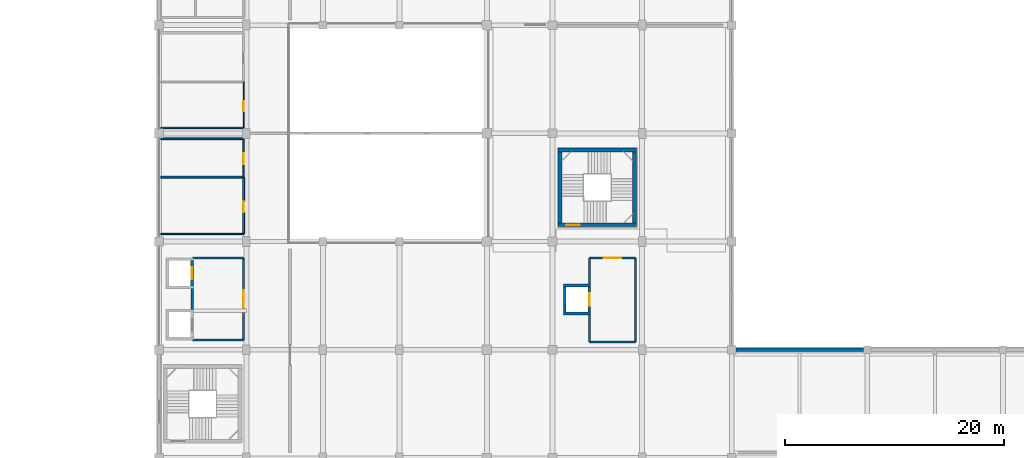
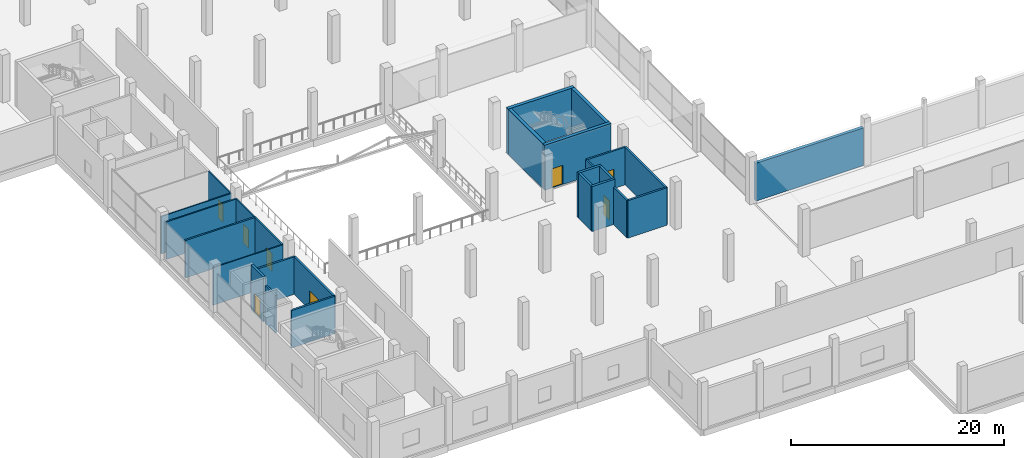
# One storey, part 45 of 74: 26 walls, 8 doors, 8 openings.
"""IFC4 building model written with IfcOpenShell, lengths in metres."""

from ifc_helpers import new_model, si_unit, direction, frame, frame_2d, origin, place, context, subcontext, project, spatial, rectangle, extrude, material, layer, layer_set, type_object, element, fill, save


model = new_model("IFC4")

# Units and contexts
model_context = context("Model", 3, precision=1e-05, world=origin(), true_north=direction((0.0, 1.0)))
body_context = subcontext(model_context, "Body", "Model", "MODEL_VIEW")
ifc_project = project(units=[si_unit("LENGTHUNIT", "METRE"), si_unit("AREAUNIT", "SQUARE_METRE"), si_unit("VOLUMEUNIT", "CUBIC_METRE"), si_unit("PLANEANGLEUNIT", "RADIAN"), si_unit("MASSUNIT", "GRAM", prefix="KILO")], contexts=[model_context])

# Site, building, storey
site_placement = place(None, origin())
site = spatial("IfcSite", under=ifc_project, at=site_placement, CompositionType="ELEMENT")
building_placement = place(site_placement, origin())
building = spatial("IfcBuilding", under=site, at=building_placement, Name="Sillaruma Civic Art Gallery", CompositionType="ELEMENT")
storey_placement = place(building_placement, frame((0.0, 0.0, 5.43994140625)))
storey = spatial("IfcBuildingStorey", under=building, at=storey_placement, Name="L01", CompositionType="ELEMENT", Elevation=5.43994140625)

# Wall, opening, door
ifc_material_1 = material(Name="Concrete H40 (40 MPa)", Category="concrete")
ifc_layer_1 = layer(ifc_material_1, 0.35009765625, Name="Concrete H40 (40 MPa)")
ifc_layer_set_1 = layer_set([ifc_layer_1], Name="Concrete H40 (40 MPa)")
wall_type_1 = type_object("IfcWallType", Name="WAL-CORE-350", PredefinedType="SHEAR", material=ifc_layer_set_1)
wall_1_placement = place(storey_placement, frame((98.510009765625, 51.034912109375, 0.0), z_axis=(0.0, 0.0, 1.0), x_axis=(1.0, 0.0, 0.0)))
wall_1 = element("IfcWall", 1, at=wall_1_placement, inside=storey, type_object=wall_type_1, Name="Stair Core Shear Wall W-CORE-350 (ST-04:L01:S)", PredefinedType="SHEAR", context=body_context, shape_type="SweptSolid", body=[
    extrude(rectangle(XDim=7.179931640625, YDim=0.35009765625, at=frame_2d((3.58984375, 0.0))), origin(), (0.0, 0.0, 1.0), 5.18017578125),
])
opening_1_placement = place(wall_1_placement, frame((0.77001953125, 0.0, 0.0)))
opening_1 = element("IfcOpeningElement", 2, at=opening_1_placement, cuts=wall_1, Name="Opening D-STAIR", PredefinedType="OPENING", context=body_context, shape_type="SweptSolid", body=[
    extrude(rectangle(XDim=1.199951171875, YDim=2.199951171875, at=frame_2d((0.60009765625, 1.10009765625))), frame((0.0, 0.18505859375, 0.0), z_axis=(0.0, -1.0, 0.0), x_axis=(1.0, 0.0, 0.0)), (0.0, 0.0, 1.0), 0.3701171875),
])
ifc_material_2 = material(Name="Galvanised Steel ASTM A653 Gr.50", Category="steel")
door_type_1 = type_object("IfcDoorType", Name="DOR-STAIR-120", OperationType="NOTDEFINED", PredefinedType="DOOR", material=ifc_material_2)
door_1_placement = place(opening_1_placement, origin())
door_1 = element("IfcDoor", 3, at=door_1_placement, inside=storey, type_object=door_type_1, Name="Protected Stair Fire Door (ST-04:L01)", OperationType="SINGLE_SWING_LEFT", OverallHeight=2.199951171875, OverallWidth=1.199951171875, PredefinedType="DOOR", context=body_context, shape_type="SweptSolid", body=[
    extrude(rectangle(XDim=1.199951171875, YDim=2.199951171875, at=frame_2d((0.60009765625, 1.10009765625))), frame((0.0, 0.02490234375, 0.0), z_axis=(0.0, -1.0, 0.0), x_axis=(1.0, 0.0, 0.0)), (0.0, 0.0, 1.0), 0.050048828125),
])
fill(opening_1, door_1)

# Walls
wall_2_placement = place(storey_placement, frame((98.510009765625, 57.864990234375, 0.0), z_axis=(0.0, 0.0, 1.0), x_axis=(1.0, 0.0, 0.0)))
element("IfcWall", 4, at=wall_2_placement, inside=storey, type_object=wall_type_1, Name="Stair Core Shear Wall W-CORE-350 (ST-04:L01:N)", PredefinedType="SHEAR", context=body_context, shape_type="SweptSolid", body=[
    extrude(rectangle(XDim=7.179931640625, YDim=0.35009765625, at=frame_2d((3.58984375, 0.0))), origin(), (0.0, 0.0, 1.0), 5.18017578125),
])
for number, where, z_axis, x_axis, name in (
    (5, (98.68505859375, 51.2099609375, 0.0), (0.0, 0.0, 1.0), (0.0, 1.0, 0.0), "Stair Core Shear Wall W-CORE-350 (ST-04:L01:W)"),
    (6, (105.514892578125, 51.2099609375, 0.0), (0.0, 0.0, 1.0), (0.0, 1.0, 0.0), "Stair Core Shear Wall W-CORE-350 (ST-04:L01:E)"),
):
    element("IfcWall", number, at=place(storey_placement, frame(where, z_axis=z_axis, x_axis=x_axis)), inside=storey, type_object=wall_type_1, Name=name, PredefinedType="SHEAR", context=body_context, shape_type="SweptSolid", body=[
        extrude(rectangle(XDim=6.47998046875, YDim=0.35009765625, at=frame_2d((3.239990234375, 0.0))), origin(), (0.0, 0.0, 1.0), 5.18017578125),
    ])
ifc_layer_2 = layer(ifc_material_1, 0.239990234375, Name="Boundary concrete", Category="concrete")
ifc_material_3 = material(Name="Mineral Wool Thermal Insulation", Category="insulation")
ifc_layer_3 = layer(ifc_material_3, 0.10009765625, Name="Acoustic-thermal liner", Category="insulation")
ifc_layer_set_2 = layer_set([ifc_layer_2, ifc_layer_3], Name="W-EXT-340")
wall_type_2 = type_object("IfcWallType", Name="WAL-EXT-340", PredefinedType="SOLIDWALL", material=ifc_layer_set_2)
wall_3_placement = place(storey_placement, frame((114.800048828125, 39.60009765625, 0.0), z_axis=(0.0, 0.0, 1.0), x_axis=(1.0, 0.0, 0.0)))
element("IfcWall", 7, at=wall_3_placement, inside=storey, type_object=wall_type_2, Name="Exterior Wall W-EXT-340 (EW-L01-EPN-1)", PredefinedType="SOLIDWALL", context=body_context, shape_type="SweptSolid", body=[
    extrude(rectangle(XDim=11.64990234375, YDim=0.340087890625, at=frame_2d((5.824951171875, 0.0))), origin(), (0.0, 0.0, 1.0), 4.330078125),
])
ifc_material_4 = material(Name="Concrete Masonry Unit Grade M15", Category="masonry")
ifc_layer_4 = layer(ifc_material_4, 0.199951171875, Name="Concrete Masonry Unit Grade M15")
ifc_layer_set_3 = layer_set([ifc_layer_4], Name="Concrete Masonry Unit Grade M15")
wall_type_3 = type_object("IfcWallType", Name="WAL-LOBBY-200", PredefinedType="SOLIDWALL", material=ifc_layer_set_3)
for number, where, z_axis, x_axis, name in (
    (8, (65.050048828125, 40.5, 0.0), (0.0, 0.0, 1.0), (1.0, 0.0, 0.0), "Interior Wall W-LOBBY-200 (L01-LLW)"),
    (9, (65.050048828125, 48.0, 0.0), (0.0, 0.0, 1.0), (1.0, 0.0, 0.0), "Interior Wall W-LOBBY-200 (L01-LLW)"),
):
    element("IfcWall", number, at=place(storey_placement, frame(where, z_axis=z_axis, x_axis=x_axis)), inside=storey, type_object=wall_type_3, Name=name, PredefinedType="SOLIDWALL", context=body_context, shape_type="SweptSolid", body=[
        extrude(rectangle(XDim=4.699951171875, YDim=0.199951171875, at=frame_2d((2.35009765625, 0.0))), origin(), (0.0, 0.0, 1.0), 4.300048828125),
    ])
wall_4_placement = place(storey_placement, frame((65.050048828125, 43.300048828125, 0.0), z_axis=(0.0, 0.0, 1.0), x_axis=(0.0, 1.0, 0.0)))
element("IfcWall", 10, at=wall_4_placement, inside=storey, type_object=wall_type_3, Name="Interior Wall W-LOBBY-200 (L01-LLW)", PredefinedType="SOLIDWALL", context=body_context, shape_type="SweptSolid", body=[
    extrude(rectangle(XDim=1.89990234375, YDim=0.199951171875, at=frame_2d((0.949951171875, 0.0))), origin(), (0.0, 0.0, 1.0), 4.300048828125),
])

# Wall, opening, door
wall_5_placement = place(storey_placement, frame((69.75, 40.5, 0.0), z_axis=(0.0, 0.0, 1.0), x_axis=(0.0, 1.0, 0.0)))
wall_5 = element("IfcWall", 11, at=wall_5_placement, inside=storey, type_object=wall_type_3, Name="Interior Wall W-LOBBY-200 (L01-LLW)", PredefinedType="SOLIDWALL", context=body_context, shape_type="SweptSolid", body=[
    extrude(rectangle(XDim=7.5, YDim=0.199951171875, at=frame_2d((3.75, 0.0))), origin(), (0.0, 0.0, 1.0), 4.300048828125),
])
opening_2_placement = place(wall_5_placement, frame((2.949951171875, 0.0, 0.0)))
opening_2 = element("IfcOpeningElement", 12, at=opening_2_placement, cuts=wall_5, Name="Opening D-LOBBY", PredefinedType="OPENING", context=body_context, shape_type="SweptSolid", body=[
    extrude(rectangle(XDim=1.60009765625, YDim=2.199951171875, at=frame_2d((0.800048828125, 1.10009765625))), frame((0.0, 0.10986328125, 0.0), z_axis=(0.0, -1.0, 0.0), x_axis=(1.0, 0.0, 0.0)), (0.0, 0.0, 1.0), 0.219970703125),
])
ifc_material_5 = material(Name="Thermally Broken Extruded Aluminium 6063-T6", Category="aluminium")
door_type_2 = type_object("IfcDoorType", Name="DOR-LOBBY-160", OperationType="NOTDEFINED", PredefinedType="DOOR", material=ifc_material_5)
door_2_placement = place(opening_2_placement, origin())
door_2 = element("IfcDoor", 13, at=door_2_placement, inside=storey, type_object=door_type_2, Name="West Lift Lobby Door (D-LOBBY)", OperationType="DOUBLE_DOOR_SINGLE_SWING", OverallHeight=2.199951171875, OverallWidth=1.60009765625, PredefinedType="DOOR", context=body_context, shape_type="SweptSolid", body=[
    extrude(rectangle(XDim=1.60009765625, YDim=2.199951171875, at=frame_2d((0.800048828125, 1.10009765625))), frame((0.0, 0.02490234375, 0.0), z_axis=(0.0, -1.0, 0.0), x_axis=(1.0, 0.0, 0.0)), (0.0, 0.0, 1.0), 0.050048828125),
])
fill(opening_2, door_2)

# Walls
wall_6_placement = place(storey_placement, frame((101.39990234375, 40.300048828125, 0.0), z_axis=(0.0, 0.0, 1.0), x_axis=(1.0, 0.0, 0.0)))
element("IfcWall", 14, at=wall_6_placement, inside=storey, type_object=wall_type_3, Name="Interior Wall W-LOBBY-200 (L01-LLE)", PredefinedType="SOLIDWALL", context=body_context, shape_type="SweptSolid", body=[
    extrude(rectangle(XDim=4.2001953125, YDim=0.199951171875, at=frame_2d((2.10009765625, 0.0))), origin(), (0.0, 0.0, 1.0), 4.300048828125),
])
wall_7_placement = place(storey_placement, frame((101.39990234375, 40.300048828125, 0.0), z_axis=(0.0, 0.0, 1.0), x_axis=(0.0, 1.0, 0.0)))
element("IfcWall", 15, at=wall_7_placement, inside=storey, type_object=wall_type_3, Name="Interior Wall W-LOBBY-200 (L01-LLE)", PredefinedType="SOLIDWALL", context=body_context, shape_type="SweptSolid", body=[
    extrude(rectangle(XDim=2.5, YDim=0.199951171875, at=frame_2d((1.25, 0.0))), origin(), (0.0, 0.0, 1.0), 4.300048828125),
])
wall_8_placement = place(storey_placement, frame((101.39990234375, 45.60009765625, 0.0), z_axis=(0.0, 0.0, 1.0), x_axis=(0.0, 1.0, 0.0)))
element("IfcWall", 16, at=wall_8_placement, inside=storey, type_object=wall_type_3, Name="Interior Wall W-LOBBY-200 (L01-LLE)", PredefinedType="SOLIDWALL", context=body_context, shape_type="SweptSolid", body=[
    extrude(rectangle(XDim=2.39990234375, YDim=0.199951171875, at=frame_2d((1.199951171875, 0.0))), origin(), (0.0, 0.0, 1.0), 4.300048828125),
])
wall_9_placement = place(storey_placement, frame((105.60009765625, 40.300048828125, 0.0), z_axis=(0.0, 0.0, 1.0), x_axis=(0.0, 1.0, 0.0)))
element("IfcWall", 17, at=wall_9_placement, inside=storey, type_object=wall_type_3, Name="Interior Wall W-LOBBY-200 (L01-LLE)", PredefinedType="SOLIDWALL", context=body_context, shape_type="SweptSolid", body=[
    extrude(rectangle(XDim=7.699951171875, YDim=0.199951171875, at=frame_2d((3.85009765625, 0.0))), origin(), (0.0, 0.0, 1.0), 4.300048828125),
])

# Wall, opening, door
wall_10_placement = place(storey_placement, frame((101.39990234375, 48.0, 0.0), z_axis=(0.0, 0.0, 1.0), x_axis=(1.0, 0.0, 0.0)))
wall_10 = element("IfcWall", 18, at=wall_10_placement, inside=storey, type_object=wall_type_3, Name="Interior Wall W-LOBBY-200 (L01-LLE)", PredefinedType="SOLIDWALL", context=body_context, shape_type="SweptSolid", body=[
    extrude(rectangle(XDim=4.2001953125, YDim=0.199951171875, at=frame_2d((2.10009765625, 0.0))), origin(), (0.0, 0.0, 1.0), 4.300048828125),
])
opening_3_placement = place(wall_10_placement, frame((1.300048828125, 0.0, 0.0)))
opening_3 = element("IfcOpeningElement", 19, at=opening_3_placement, cuts=wall_10, Name="Opening D-LOBBY", PredefinedType="OPENING", context=body_context, shape_type="SweptSolid", body=[
    extrude(rectangle(XDim=1.60009765625, YDim=2.199951171875, at=frame_2d((0.800048828125, 1.10009765625))), frame((0.0, 0.10986328125, 0.0), z_axis=(0.0, -1.0, 0.0), x_axis=(1.0, 0.0, 0.0)), (0.0, 0.0, 1.0), 0.219970703125),
])
door_3_placement = place(opening_3_placement, origin())
door_3 = element("IfcDoor", 20, at=door_3_placement, inside=storey, type_object=door_type_2, Name="East Lift Lobby Door (D-LOBBY)", OperationType="DOUBLE_DOOR_SINGLE_SWING", OverallHeight=2.199951171875, OverallWidth=1.60009765625, PredefinedType="DOOR", context=body_context, shape_type="SweptSolid", body=[
    extrude(rectangle(XDim=1.60009765625, YDim=2.199951171875, at=frame_2d((0.800048828125, 1.10009765625))), frame((0.0, 0.02490234375, 0.0), z_axis=(0.0, -1.0, 0.0), x_axis=(1.0, 0.0, 0.0)), (0.0, 0.0, 1.0), 0.050048828125),
])
fill(opening_3, door_3)

# Wall
ifc_material_6 = material(Name="Gypsum Acoustic Board", Category="gypsum")
ifc_layer_5 = layer(ifc_material_6, 0.02490234375, Name="Finish board", Category="gypsum")
ifc_layer_6 = layer(ifc_material_3, 0.06005859375, Name="Acoustic core", Category="insulation")
ifc_material_7 = material(Name="Andean Oak Timber", Category="wood")
ifc_layer_7 = layer(ifc_material_7, 0.02490234375, Name="Gallery lining", Category="wood")
ifc_layer_set_4 = layer_set([ifc_layer_5, ifc_layer_6, ifc_layer_7], Name="W-PT-110")
wall_type_4 = type_object("IfcWallType", Name="WAL-PART-110", PredefinedType="PARTITIONING", material=ifc_layer_set_4)
wall_11_placement = place(storey_placement, frame((62.14990234375, 50.199951171875, 0.0), z_axis=(0.0, 0.0, 1.0), x_axis=(1.0, 0.0, 0.0)))
element("IfcWall", 21, at=wall_11_placement, inside=storey, type_object=wall_type_4, Name="Interior Wall W-PT-110 (L01-WC1)", PredefinedType="PARTITIONING", context=body_context, shape_type="SweptSolid", body=[
    extrude(rectangle(XDim=7.60009765625, YDim=0.110107421875, at=frame_2d((3.800048828125, 0.0))), origin(), (0.0, 0.0, 1.0), 4.300048828125),
])

# Wall, opening, door
wall_12_placement = place(storey_placement, frame((69.75, 59.89990234375, 0.0), z_axis=(0.0, 0.0, 1.0), x_axis=(0.0, 1.0, 0.0)))
wall_12 = element("IfcWall", 22, at=wall_12_placement, inside=storey, type_object=wall_type_4, Name="Interior Wall W-PT-110 (L01-CLN)", PredefinedType="PARTITIONING", context=body_context, shape_type="SweptSolid", body=[
    extrude(rectangle(XDim=4.2001953125, YDim=0.110107421875, at=frame_2d((2.10009765625, 0.0))), origin(), (0.0, 0.0, 1.0), 4.300048828125),
])
opening_4_placement = place(wall_12_placement, frame((1.5, 0.0, 0.0)))
opening_4 = element("IfcOpeningElement", 23, at=opening_4_placement, cuts=wall_12, Name="Opening D-SVC09", PredefinedType="OPENING", context=body_context, shape_type="SweptSolid", body=[
    extrude(rectangle(XDim=0.949951171875, YDim=2.10009765625, at=frame_2d((0.47509765625, 1.050048828125))), frame((0.0, 0.06494140625, 0.0), z_axis=(0.0, -1.0, 0.0), x_axis=(1.0, 0.0, 0.0)), (0.0, 0.0, 1.0), 0.130126953125),
])
door_type_3 = type_object("IfcDoorType", Name="DOR-SVC-095", OperationType="NOTDEFINED", PredefinedType="DOOR", material=ifc_material_7)
door_4_placement = place(opening_4_placement, origin())
door_4 = element("IfcDoor", 24, at=door_4_placement, inside=storey, type_object=door_type_3, Name="Cleaner Store Door (D-SVC09)", OperationType="SINGLE_SWING_LEFT", OverallHeight=2.10009765625, OverallWidth=0.949951171875, PredefinedType="DOOR", context=body_context, shape_type="SweptSolid", body=[
    extrude(rectangle(XDim=0.949951171875, YDim=2.10009765625, at=frame_2d((0.47509765625, 1.050048828125))), frame((0.0, 0.02490234375, 0.0), z_axis=(0.0, -1.0, 0.0), x_axis=(1.0, 0.0, 0.0)), (0.0, 0.0, 1.0), 0.050048828125),
])
fill(opening_4, door_4)

# Wall
ifc_layer_8 = layer(ifc_material_6, 0.02490234375, Name="Finish board", Category="gypsum")
ifc_layer_9 = layer(ifc_material_3, 0.080078125, Name="Acoustic core", Category="insulation")
ifc_layer_10 = layer(ifc_material_7, 0.02490234375, Name="Gallery lining", Category="wood")
ifc_layer_set_5 = layer_set([ifc_layer_8, ifc_layer_9, ifc_layer_10], Name="W-PT-130")
wall_type_5 = type_object("IfcWallType", Name="WAL-PART-130", PredefinedType="PARTITIONING", material=ifc_layer_set_5)
wall_13_placement = place(storey_placement, frame((62.14990234375, 59.89990234375, 0.0), z_axis=(0.0, 0.0, 1.0), x_axis=(1.0, 0.0, 0.0)))
element("IfcWall", 25, at=wall_13_placement, inside=storey, type_object=wall_type_5, Name="Interior Wall W-PT-130 (L01-CLN)", PredefinedType="PARTITIONING", context=body_context, shape_type="SweptSolid", body=[
    extrude(rectangle(XDim=7.60009765625, YDim=0.1298828125, at=frame_2d((3.800048828125, 0.0))), origin(), (0.0, 0.0, 1.0), 4.300048828125),
])

# Wall, opening, door
ifc_layer_11 = layer(ifc_material_6, 0.02490234375, Name="Finish board", Category="gypsum")
ifc_layer_12 = layer(ifc_material_3, 0.090087890625, Name="Acoustic core", Category="insulation")
ifc_layer_13 = layer(ifc_material_7, 0.02490234375, Name="Gallery lining", Category="wood")
ifc_layer_set_6 = layer_set([ifc_layer_11, ifc_layer_12, ifc_layer_13], Name="W-PT-140")
wall_type_6 = type_object("IfcWallType", Name="WAL-PART-140", PredefinedType="PARTITIONING", material=ifc_layer_set_6)
wall_14_placement = place(storey_placement, frame((69.75, 55.39990234375, 0.0), z_axis=(0.0, 0.0, 1.0), x_axis=(0.0, 1.0, 0.0)))
wall_14 = element("IfcWall", 26, at=wall_14_placement, inside=storey, type_object=wall_type_6, Name="Interior Wall W-PT-140 (L01-WCA)", PredefinedType="PARTITIONING", context=body_context, shape_type="SweptSolid", body=[
    extrude(rectangle(XDim=3.5, YDim=0.139892578125, at=frame_2d((1.75, 0.0))), origin(), (0.0, 0.0, 1.0), 4.300048828125),
])
opening_5_placement = place(wall_14_placement, frame((1.14990234375, 0.0, 0.0)))
opening_5 = element("IfcOpeningElement", 27, at=opening_5_placement, cuts=wall_14, Name="Opening D-AWC10", PredefinedType="OPENING", context=body_context, shape_type="SweptSolid", body=[
    extrude(rectangle(XDim=1.050048828125, YDim=2.14990234375, at=frame_2d((0.52490234375, 1.074951171875))), frame((0.0, 0.079833984375, 0.0), z_axis=(0.0, -1.0, 0.0), x_axis=(1.0, 0.0, 0.0)), (0.0, 0.0, 1.0), 0.159912109375),
])
door_type_4 = type_object("IfcDoorType", Name="DOR-AWC-105", OperationType="NOTDEFINED", PredefinedType="DOOR", material=ifc_material_7)
door_5_placement = place(opening_5_placement, origin())
door_5 = element("IfcDoor", 28, at=door_5_placement, inside=storey, type_object=door_type_4, Name="Accessible WC Door (D-AWC10)", OperationType="SINGLE_SWING_RIGHT", OverallHeight=2.14990234375, OverallWidth=1.050048828125, PredefinedType="DOOR", context=body_context, shape_type="SweptSolid", body=[
    extrude(rectangle(XDim=1.050048828125, YDim=2.14990234375, at=frame_2d((0.52490234375, 1.074951171875))), frame((0.0, 0.02490234375, 0.0), z_axis=(0.0, -1.0, 0.0), x_axis=(1.0, 0.0, 0.0)), (0.0, 0.0, 1.0), 0.050048828125),
])
fill(opening_5, door_5)

# Wall
ifc_layer_14 = layer(ifc_material_6, 0.02490234375, Name="Finish board", Category="gypsum")
ifc_layer_15 = layer(ifc_material_3, 0.10009765625, Name="Acoustic core", Category="insulation")
ifc_layer_16 = layer(ifc_material_7, 0.02490234375, Name="Gallery lining", Category="wood")
ifc_layer_set_7 = layer_set([ifc_layer_14, ifc_layer_15, ifc_layer_16], Name="W-PT-150")
wall_type_7 = type_object("IfcWallType", Name="WAL-PART-150", PredefinedType="PARTITIONING", material=ifc_layer_set_7)
wall_15_placement = place(storey_placement, frame((62.14990234375, 58.89990234375, 0.0), z_axis=(0.0, 0.0, 1.0), x_axis=(1.0, 0.0, 0.0)))
element("IfcWall", 29, at=wall_15_placement, inside=storey, type_object=wall_type_7, Name="Interior Wall W-PT-150 (L01-WCA)", PredefinedType="PARTITIONING", context=body_context, shape_type="SweptSolid", body=[
    extrude(rectangle(XDim=7.60009765625, YDim=0.14990234375, at=frame_2d((3.800048828125, 0.0))), origin(), (0.0, 0.0, 1.0), 4.300048828125),
])

# Wall, opening, door
ifc_layer_17 = layer(ifc_material_6, 0.02490234375, Name="Finish board", Category="gypsum")
ifc_layer_18 = layer(ifc_material_3, 0.114990234375, Name="Acoustic core", Category="insulation")
ifc_layer_19 = layer(ifc_material_7, 0.02490234375, Name="Gallery lining", Category="wood")
ifc_layer_set_8 = layer_set([ifc_layer_17, ifc_layer_18, ifc_layer_19], Name="W-PT-165")
wall_type_8 = type_object("IfcWallType", Name="WAL-PART-165", PredefinedType="PARTITIONING", material=ifc_layer_set_8)
wall_16_placement = place(storey_placement, frame((69.75, 50.199951171875, 0.0), z_axis=(0.0, 0.0, 1.0), x_axis=(0.0, 1.0, 0.0)))
wall_16 = element("IfcWall", 30, at=wall_16_placement, inside=storey, type_object=wall_type_8, Name="Interior Wall W-PT-165 (L01-WC1)", PredefinedType="PARTITIONING", context=body_context, shape_type="SweptSolid", body=[
    extrude(rectangle(XDim=5.199951171875, YDim=0.1650390625, at=frame_2d((2.60009765625, 0.0))), origin(), (0.0, 0.0, 1.0), 4.300048828125),
])
opening_6_placement = place(wall_16_placement, frame((2.0, 0.0, 0.0)))
opening_6 = element("IfcOpeningElement", 31, at=opening_6_placement, cuts=wall_16, Name="Opening D-WC10", PredefinedType="OPENING", context=body_context, shape_type="SweptSolid", body=[
    extrude(rectangle(XDim=1.0, YDim=2.10009765625, at=frame_2d((0.5, 1.050048828125))), frame((0.0, 0.092529296875, 0.0), z_axis=(0.0, -1.0, 0.0), x_axis=(1.0, 0.0, 0.0)), (0.0, 0.0, 1.0), 0.18505859375),
])
door_type_5 = type_object("IfcDoorType", Name="DOR-WC-100", OperationType="NOTDEFINED", PredefinedType="DOOR", material=ifc_material_7)
door_6_placement = place(opening_6_placement, origin())
door_6 = element("IfcDoor", 32, at=door_6_placement, inside=storey, type_object=door_type_5, Name="Public WC Door (D-WC10)", OperationType="SINGLE_SWING_LEFT", OverallHeight=2.10009765625, OverallWidth=1.0, PredefinedType="DOOR", context=body_context, shape_type="SweptSolid", body=[
    extrude(rectangle(XDim=1.0, YDim=2.10009765625, at=frame_2d((0.5, 1.050048828125))), frame((0.0, 0.02490234375, 0.0), z_axis=(0.0, -1.0, 0.0), x_axis=(1.0, 0.0, 0.0)), (0.0, 0.0, 1.0), 0.050048828125),
])
fill(opening_6, door_6)

# Wall
ifc_layer_20 = layer(ifc_material_6, 0.02490234375, Name="Finish board", Category="gypsum")
ifc_layer_21 = layer(ifc_material_3, 0.1298828125, Name="Acoustic core", Category="insulation")
ifc_layer_22 = layer(ifc_material_7, 0.02490234375, Name="Gallery lining", Category="wood")
ifc_layer_set_9 = layer_set([ifc_layer_20, ifc_layer_21, ifc_layer_22], Name="W-PT-180")
wall_type_9 = type_object("IfcWallType", Name="WAL-PART-180", PredefinedType="PARTITIONING", material=ifc_layer_set_9)
wall_17_placement = place(storey_placement, frame((62.14990234375, 55.39990234375, 0.0), z_axis=(0.0, 0.0, 1.0), x_axis=(1.0, 0.0, 0.0)))
element("IfcWall", 33, at=wall_17_placement, inside=storey, type_object=wall_type_9, Name="Interior Wall W-PT-180 (L01-WC1)", PredefinedType="PARTITIONING", context=body_context, shape_type="SweptSolid", body=[
    extrude(rectangle(XDim=7.60009765625, YDim=0.179931640625, at=frame_2d((3.800048828125, 0.0))), origin(), (0.0, 0.0, 1.0), 4.300048828125),
])

# Wall, opening, door
ifc_layer_23 = layer(ifc_material_1, 0.25, Name="Concrete H40 (40 MPa)")
ifc_layer_set_10 = layer_set([ifc_layer_23], Name="Concrete H40 (40 MPa)")
wall_type_10 = type_object("IfcWallType", Name="WAL-SHAFT-250", PredefinedType="SOLIDWALL", material=ifc_layer_set_10)
wall_18_placement = place(storey_placement, frame((65.02490234375, 45.449951171875, 0.0), z_axis=(0.0, 0.0, 1.0), x_axis=(0.0, 1.0, 0.0)))
wall_18 = element("IfcWall", 34, at=wall_18_placement, inside=storey, type_object=wall_type_10, Name="Lift Shaft Wall W-SHAFT-250 (PL-02:L01:E)", PredefinedType="SOLIDWALL", context=body_context, shape_type="SweptSolid", body=[
    extrude(rectangle(XDim=2.300048828125, YDim=0.25, at=frame_2d((1.14990234375, 0.0))), origin(), (0.0, 0.0, 1.0), 5.16015625),
])
opening_7_placement = place(wall_18_placement, frame((0.60009765625, 0.0, 0.0)))
opening_7 = element("IfcOpeningElement", 35, at=opening_7_placement, cuts=wall_18, Name="Opening LD-01", PredefinedType="OPENING", context=body_context, shape_type="SweptSolid", body=[
    extrude(rectangle(XDim=1.10009765625, YDim=2.199951171875, at=frame_2d((0.550048828125, 1.10009765625))), frame((0.0, 0.135009765625, 0.0), z_axis=(0.0, -1.0, 0.0), x_axis=(1.0, 0.0, 0.0)), (0.0, 0.0, 1.0), 0.27001953125),
])
door_type_6 = type_object("IfcDoorType", Name="DOR-LD-01", OperationType="NOTDEFINED", PredefinedType="DOOR", material=ifc_material_2)
door_7_placement = place(opening_7_placement, origin())
door_7 = element("IfcDoor", 36, at=door_7_placement, inside=storey, type_object=door_type_6, Name="Lift Sliding Landing Door LD-01 (PL-02:L01)", OperationType="DOUBLE_DOOR_SLIDING", OverallHeight=2.199951171875, OverallWidth=1.10009765625, PredefinedType="DOOR", context=body_context, shape_type="SweptSolid", body=[
    extrude(rectangle(XDim=1.10009765625, YDim=2.199951171875, at=frame_2d((0.550048828125, 1.10009765625))), frame((0.0, 0.02490234375, 0.0), z_axis=(0.0, -1.0, 0.0), x_axis=(1.0, 0.0, 0.0)), (0.0, 0.0, 1.0), 0.050048828125),
])
fill(opening_7, door_7)

# Walls
for number, where, z_axis, x_axis, name in (
    (37, (99.0, 42.925048828125, 0.0), (0.0, 0.0, 1.0), (1.0, 0.0, 0.0), "Lift Shaft Wall W-SHAFT-250 (PL-03:L01:S)"),
    (38, (99.0, 45.47509765625, 0.0), (0.0, 0.0, 1.0), (1.0, 0.0, 0.0), "Lift Shaft Wall W-SHAFT-250 (PL-03:L01:N)"),
):
    element("IfcWall", number, at=place(storey_placement, frame(where, z_axis=z_axis, x_axis=x_axis)), inside=storey, type_object=wall_type_10, Name=name, PredefinedType="SOLIDWALL", context=body_context, shape_type="SweptSolid", body=[
        extrude(rectangle(XDim=2.5, YDim=0.25, at=frame_2d((1.25, 0.0))), origin(), (0.0, 0.0, 1.0), 5.16015625),
    ])
wall_19_placement = place(storey_placement, frame((99.125, 43.050048828125, 0.0), z_axis=(0.0, 0.0, 1.0), x_axis=(0.0, 1.0, 0.0)))
element("IfcWall", 39, at=wall_19_placement, inside=storey, type_object=wall_type_10, Name="Lift Shaft Wall W-SHAFT-250 (PL-03:L01:W)", PredefinedType="SOLIDWALL", context=body_context, shape_type="SweptSolid", body=[
    extrude(rectangle(XDim=2.300048828125, YDim=0.25, at=frame_2d((1.14990234375, 0.0))), origin(), (0.0, 0.0, 1.0), 5.16015625),
])

# Wall, opening, door
wall_20_placement = place(storey_placement, frame((101.375, 43.050048828125, 0.0), z_axis=(0.0, 0.0, 1.0), x_axis=(0.0, 1.0, 0.0)))
wall_20 = element("IfcWall", 40, at=wall_20_placement, inside=storey, type_object=wall_type_10, Name="Lift Shaft Wall W-SHAFT-250 (PL-03:L01:E)", PredefinedType="SOLIDWALL", context=body_context, shape_type="SweptSolid", body=[
    extrude(rectangle(XDim=2.300048828125, YDim=0.25, at=frame_2d((1.14990234375, 0.0))), origin(), (0.0, 0.0, 1.0), 5.16015625),
])
opening_8_placement = place(wall_20_placement, frame((0.60009765625, 0.0, 0.0)))
opening_8 = element("IfcOpeningElement", 41, at=opening_8_placement, cuts=wall_20, Name="Opening LD-01", PredefinedType="OPENING", context=body_context, shape_type="SweptSolid", body=[
    extrude(rectangle(XDim=1.10009765625, YDim=2.199951171875, at=frame_2d((0.550048828125, 1.10009765625))), frame((0.0, 0.135009765625, 0.0), z_axis=(0.0, -1.0, 0.0), x_axis=(1.0, 0.0, 0.0)), (0.0, 0.0, 1.0), 0.27001953125),
])
door_8_placement = place(opening_8_placement, origin())
door_8 = element("IfcDoor", 42, at=door_8_placement, inside=storey, type_object=door_type_6, Name="Lift Sliding Landing Door LD-01 (PL-03:L01)", OperationType="DOUBLE_DOOR_SLIDING", OverallHeight=2.199951171875, OverallWidth=1.10009765625, PredefinedType="DOOR", context=body_context, shape_type="SweptSolid", body=[
    extrude(rectangle(XDim=1.10009765625, YDim=2.199951171875, at=frame_2d((0.550048828125, 1.10009765625))), frame((0.0, 0.02490234375, 0.0), z_axis=(0.0, -1.0, 0.0), x_axis=(1.0, 0.0, 0.0)), (0.0, 0.0, 1.0), 0.050048828125),
])
fill(opening_8, door_8)

save(model, "model.ifc")
